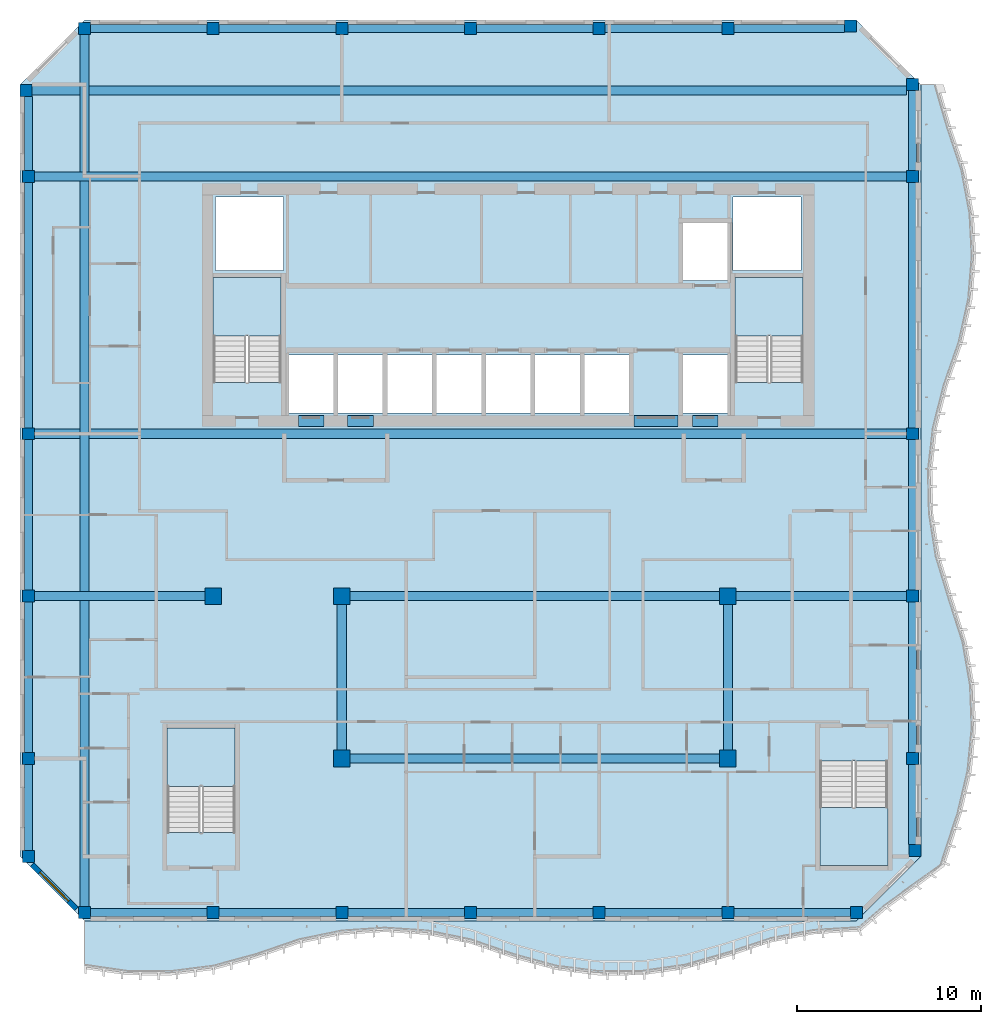
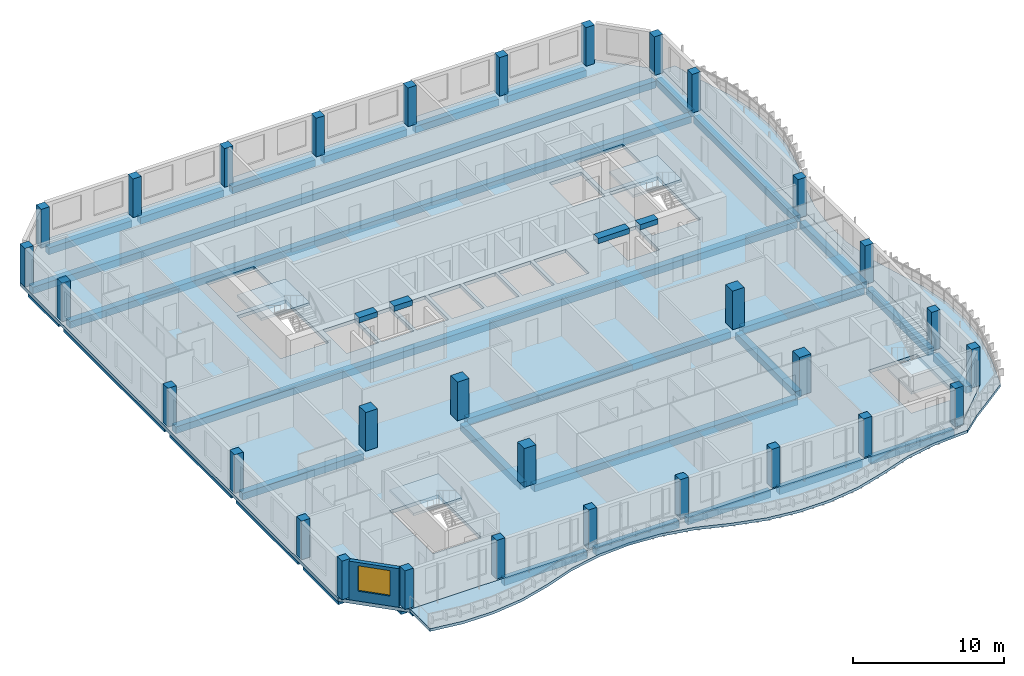
# One storey, part 1 of 17: 36 beams, 31 columns, 6 slabs, 1 wall, 1 window, 1 opening, 4 elements without a shape of their own.
"""IFC4 building model written with IfcOpenShell, lengths in metres."""

from ifc_helpers import new_model, si_unit, direction, frame, frame_2d, origin, origin_2d, place, context, subcontext, project, spatial, polyline, rectangle, outline, extrude, source, transform, mapped, material, layer, layer_set, material_profile, profile_set, type_object, element, fill, aggregate, save


model = new_model("IFC4")

# Units and contexts
model_context = context("Model", 3, precision=1e-05, world=origin(), true_north=direction((0.0, 1.0)))
body_context = subcontext(model_context, "Body", "Model", "MODEL_VIEW")
ifc_project = project(units=[si_unit("LENGTHUNIT", "METRE"), si_unit("AREAUNIT", "SQUARE_METRE"), si_unit("VOLUMEUNIT", "CUBIC_METRE"), si_unit("PLANEANGLEUNIT", "RADIAN"), si_unit("MASSUNIT", "GRAM", prefix="KILO")], contexts=[model_context])

# Site, building, storey
site_placement = place(None, origin())
site = spatial("IfcSite", under=ifc_project, at=site_placement, CompositionType="ELEMENT")
building_placement = place(site_placement, origin())
building = spatial("IfcBuilding", under=site, at=building_placement, Name="Kilnfold Tower and Market Hall", CompositionType="ELEMENT")
storey_placement = place(building_placement, frame((0.0, 0.0, 273.800048828125)))
storey = spatial("IfcBuildingStorey", under=building, at=storey_placement, Name="L67", CompositionType="ELEMENT", Elevation=273.800048828125)

# Columns
ifc_material_1 = material(Name="Concrete C60", Category="concrete")
ifc_material_profile_1 = material_profile(ifc_material_1, rectangle(XDim=0.64990234375, YDim=0.64990234375, at=origin_2d()), Name="RC 650x650")
ifc_profile_set_1 = profile_set([ifc_material_profile_1], Name="Concrete C60")
column_type_1 = type_object("IfcColumnType", Name="COLUMN 650X650 C60", PredefinedType="COLUMN", material=ifc_profile_set_1)
shared_shape_1 = source(origin(), body_context, "Body", "SweptSolid", [
    extrude(rectangle(XDim=0.64990234375, YDim=0.64990234375, at=origin_2d()), origin(), (0.0, 0.0, 1.0), 3.119873046875),
])
for number, where, z_axis, x_axis, name in (
    (1, (-25.181884765625, 26.681884765625, 0.0), (0.0, 0.0, 1.0), (1.0, 0.0, 0.0), "Column C-B8-1G"),
    (2, (-25.050048828125, -15.0, 0.0), (0.0, 0.0, 1.0), (1.0, 0.0, 0.0), "Column C-B8-1B"),
    (3, (-25.050048828125, -9.666748046875, 0.0), (0.0, 0.0, 1.0), (1.0, 0.0, 0.0), "Column C-B8-1C"),
    (4, (-25.050048828125, -0.833251953125, 0.0), (0.0, 0.0, 1.0), (1.0, 0.0, 0.0), "Column C-B8-1D"),
    (5, (-25.050048828125, 8.0, 0.0), (0.0, 0.0, 1.0), (1.0, 0.0, 0.0), "Column C-B8-1E"),
    (6, (-25.050048828125, 22.0, 0.0), (0.0, 0.0, 1.0), (1.0, 0.0, 0.0), "Column C-B8-1F"),
    (7, (-22.0, -18.050048828125, 0.0), (0.0, 0.0, 1.0), (1.0, 0.0, 0.0), "Column C-B8-2A"),
    (8, (-22.0, 30.050048828125, 0.0), (0.0, 0.0, 1.0), (1.0, 0.0, 0.0), "Column C-B8-2H"),
    (9, (-15.0, -18.050048828125, 0.0), (0.0, 0.0, 1.0), (1.0, 0.0, 0.0), "Column C-B8-3A"),
    (10, (-15.0, 30.050048828125, 0.0), (0.0, 0.0, 1.0), (1.0, 0.0, 0.0), "Column C-B8-3H"),
    (11, (-8.0, -18.050048828125, 0.0), (0.0, 0.0, 1.0), (1.0, 0.0, 0.0), "Column C-B8-4A"),
    (12, (-8.0, 30.050048828125, 0.0), (0.0, 0.0, 1.0), (1.0, 0.0, 0.0), "Column C-B8-4H"),
    (13, (-1.0, -18.050048828125, 0.0), (0.0, 0.0, 1.0), (1.0, 0.0, 0.0), "Column C-B8-5A"),
    (14, (-1.0, 30.050048828125, 0.0), (0.0, 0.0, 1.0), (1.0, 0.0, 0.0), "Column C-B8-5H"),
    (15, (6.0, -18.050048828125, 0.0), (0.0, 0.0, 1.0), (1.0, 0.0, 0.0), "Column C-B8-6A"),
    (16, (6.0, 30.050048828125, 0.0), (0.0, 0.0, 1.0), (1.0, 0.0, 0.0), "Column C-B8-6H"),
    (17, (13.0, -18.050048828125, 0.0), (0.0, 0.0, 1.0), (1.0, 0.0, 0.0), "Column C-B8-7A"),
    (18, (13.0, 30.050048828125, 0.0), (0.0, 0.0, 1.0), (1.0, 0.0, 0.0), "Column C-B8-7H"),
    (19, (19.681884765625, 30.181884765625, 0.0), (0.0, 0.0, 1.0), (1.0, 0.0, 0.0), "Column C-B8-8H"),
    (20, (20.0, -18.050048828125, 0.0), (0.0, 0.0, 1.0), (1.0, 0.0, 0.0), "Column C-B8-8A"),
    (21, (23.050048828125, -9.666748046875, 0.0), (0.0, 0.0, 1.0), (1.0, 0.0, 0.0), "Column C-B8-9C"),
    (22, (23.050048828125, -0.833251953125, 0.0), (0.0, 0.0, 1.0), (1.0, 0.0, 0.0), "Column C-B8-9D"),
    (23, (23.050048828125, 8.0, 0.0), (0.0, 0.0, 1.0), (1.0, 0.0, 0.0), "Column C-B8-9E"),
    (24, (23.050048828125, 22.0, 0.0), (0.0, 0.0, 1.0), (1.0, 0.0, 0.0), "Column C-B8-9F"),
    (25, (23.050048828125, 27.0, 0.0), (0.0, 0.0, 1.0), (1.0, 0.0, 0.0), "Column C-B8-9G"),
    (26, (23.181884765625, -14.681884765625, 0.0), (0.0, 0.0, 1.0), (1.0, 0.0, 0.0), "Column C-B8-9B"),
):
    element("IfcColumn", number, at=place(storey_placement, frame(where, z_axis=z_axis, x_axis=x_axis)), inside=storey, type_object=column_type_1, Name=name, PredefinedType="COLUMN", context=body_context, shape_type="MappedRepresentation", body=[
        mapped(shared_shape_1, transform((0.0, 0.0, 0.0))),
    ])
ifc_material_2 = material(Name="Concrete C60", Category="concrete")
ifc_material_profile_2 = material_profile(ifc_material_2, rectangle(XDim=0.89990234375, YDim=0.89990234375, at=origin_2d()), Name="RC 900x900")
ifc_profile_set_2 = profile_set([ifc_material_profile_2], Name="Concrete C60")
column_type_2 = type_object("IfcColumnType", Name="COLUMN 900X900 C60", PredefinedType="COLUMN", material=ifc_profile_set_2)
shared_shape_2 = source(origin(), body_context, "Body", "SweptSolid", [
    extrude(rectangle(XDim=0.89990234375, YDim=0.89990234375, at=origin_2d()), origin(), (0.0, 0.0, 1.0), 3.119873046875),
])
for number, where, z_axis, x_axis, name in (
    (27, (-15.0, -0.833251953125, 0.0), (0.0, 0.0, 1.0), (1.0, 0.0, 0.0), "Column C-B8-3D"),
    (28, (-8.0, -9.666748046875, 0.0), (0.0, 0.0, 1.0), (1.0, 0.0, 0.0), "Column C-B8-4C"),
    (29, (-8.0, -0.833251953125, 0.0), (0.0, 0.0, 1.0), (1.0, 0.0, 0.0), "Column C-B8-4D"),
    (30, (13.0, -9.666748046875, 0.0), (0.0, 0.0, 1.0), (1.0, 0.0, 0.0), "Column C-B8-7C"),
    (31, (13.0, -0.833251953125, 0.0), (0.0, 0.0, 1.0), (1.0, 0.0, 0.0), "Column C-B8-7D"),
):
    element("IfcColumn", number, at=place(storey_placement, frame(where, z_axis=z_axis, x_axis=x_axis)), inside=storey, type_object=column_type_2, Name=name, PredefinedType="COLUMN", context=body_context, shape_type="MappedRepresentation", body=[
        mapped(shared_shape_2, transform((0.0, 0.0, 0.0))),
    ])

# Beams
ifc_material_3 = material(Name="Concrete C50", Category="concrete")
ifc_material_profile_3 = material_profile(ifc_material_3, rectangle(XDim=0.60009765625, YDim=0.419921875, at=origin_2d()), Name="RC 600x420")
ifc_profile_set_3 = profile_set([ifc_material_profile_3], Name="Concrete C50")
beam_type_1 = type_object("IfcBeamType", Name="COUPLING BEAM 600X420 C50", PredefinedType="BEAM", material=ifc_profile_set_3)
shared_shape_3 = source(origin(), body_context, "Body", "SweptSolid", [
    extrude(rectangle(XDim=0.60009765625, YDim=0.419921875, at=origin_2d()), origin(), (0.0, 0.0, 1.0), 1.400146484375),
])
beam_1_placement = place(storey_placement, frame((-10.3701171875, 8.699951171875, 2.909912109375), z_axis=(1.0, 0.0, 0.0), x_axis=(0.0, 1.0, 0.0)))
element("IfcBeam", 32, at=beam_1_placement, inside=storey, type_object=beam_type_1, Name="Coupling beam CB420-50-CORE.30", PredefinedType="BEAM", context=body_context, shape_type="MappedRepresentation", body=[
    mapped(shared_shape_3, transform((0.0, 0.0, 0.0))),
])
shared_shape_4 = source(origin(), body_context, "Body", "SweptSolid", [
    extrude(rectangle(XDim=0.60009765625, YDim=0.419921875, at=origin_2d()), origin(), (0.0, 0.0, 1.0), 1.39990234375),
])
for number, where, z_axis, x_axis, name in (
    (33, (-7.68994140625, 8.699951171875, 2.909912109375), (1.0, 0.0, 0.0), (0.0, 1.0, 0.0), "Coupling beam CB420-50-CORE.31"),
    (34, (11.070068359375, 8.699951171875, 2.909912109375), (1.0, 0.0, 0.0), (0.0, 1.0, 0.0), "Coupling beam CB420-50-CORE.33"),
):
    element("IfcBeam", number, at=place(storey_placement, frame(where, z_axis=z_axis, x_axis=x_axis)), inside=storey, type_object=beam_type_1, Name=name, PredefinedType="BEAM", context=body_context, shape_type="MappedRepresentation", body=[
        mapped(shared_shape_4, transform((0.0, 0.0, 0.0))),
    ])
shared_shape_5 = source(origin(), body_context, "Body", "SweptSolid", [
    extrude(rectangle(XDim=0.60009765625, YDim=0.419921875, at=origin_2d()), origin(), (0.0, 0.0, 1.0), 2.400146484375),
])
beam_2_placement = place(storey_placement, frame((7.889892578125, 8.699951171875, 2.909912109375), z_axis=(1.0, 0.0, 0.0), x_axis=(0.0, 1.0, 0.0)))
element("IfcBeam", 35, at=beam_2_placement, inside=storey, type_object=beam_type_1, Name="Coupling beam CB420-50-CORE.32", PredefinedType="BEAM", context=body_context, shape_type="MappedRepresentation", body=[
    mapped(shared_shape_5, transform((0.0, 0.0, 0.0))),
])
ifc_material_4 = material(Name="Concrete C45", Category="concrete")
ifc_material_profile_4 = material_profile(ifc_material_4, rectangle(XDim=0.449951171875, YDim=0.550048828125, at=origin_2d()), Name="RC 450x550")
ifc_profile_set_4 = profile_set([ifc_material_profile_4], Name="Concrete C45")
beam_type_2 = type_object("IfcBeamType", Name="EDGE BEAM 450X550 C45", PredefinedType="BEAM", material=ifc_profile_set_4)
shared_shape_6 = source(origin(), body_context, "Body", "SweptSolid", [
    extrude(rectangle(XDim=0.449951171875, YDim=0.550048828125, at=origin_2d()), origin(), (0.0, 0.0, 1.0), 6.35009765625),
])
for number, where, z_axis, x_axis, name in (
    (36, (-21.675048828125, -18.050048828125, -0.554931640625), (1.0, 0.0, 0.0), (0.0, 1.0, 0.0), "Beam EB550-B8.31"),
    (37, (-14.675048828125, -18.050048828125, -0.554931640625), (1.0, 0.0, 0.0), (0.0, 1.0, 0.0), "Beam EB550-B8.32"),
    (38, (-7.675048828125, -18.050048828125, -0.554931640625), (1.0, 0.0, 0.0), (0.0, 1.0, 0.0), "Beam EB550-B8.33"),
    (39, (-0.675048828125, -18.050048828125, -0.554931640625), (1.0, 0.0, 0.0), (0.0, 1.0, 0.0), "Beam EB550-B8.34"),
    (40, (6.324951171875, -18.050048828125, -0.554931640625), (1.0, 0.0, 0.0), (0.0, 1.0, 0.0), "Beam EB550-B8.35"),
    (41, (13.324951171875, -18.050048828125, -0.554931640625), (1.0, 0.0, 0.0), (0.0, 1.0, 0.0), "Beam EB550-B8.36"),
    (42, (-21.675048828125, 30.050048828125, -0.554931640625), (1.0, 0.0, 0.0), (0.0, 1.0, 0.0), "Beam EB550-B8.44"),
    (43, (-14.675048828125, 30.050048828125, -0.554931640625), (1.0, 0.0, 0.0), (0.0, 1.0, 0.0), "Beam EB550-B8.45"),
    (44, (-7.675048828125, 30.050048828125, -0.554931640625), (1.0, 0.0, 0.0), (0.0, 1.0, 0.0), "Beam EB550-B8.46"),
    (45, (-0.675048828125, 30.050048828125, -0.554931640625), (1.0, 0.0, 0.0), (0.0, 1.0, 0.0), "Beam EB550-B8.47"),
    (46, (6.324951171875, 30.050048828125, -0.554931640625), (1.0, 0.0, 0.0), (0.0, 1.0, 0.0), "Beam EB550-B8.48"),
):
    element("IfcBeam", number, at=place(storey_placement, frame(where, z_axis=z_axis, x_axis=x_axis)), inside=storey, type_object=beam_type_2, Name=name, PredefinedType="BEAM", context=body_context, shape_type="MappedRepresentation", body=[
        mapped(shared_shape_6, transform((0.0, 0.0, 0.0))),
    ])
ifc_material_5 = material(Name="Concrete C45", Category="concrete")
ifc_material_profile_5 = material_profile(ifc_material_5, rectangle(XDim=0.5, YDim=0.550048828125, at=origin_2d()), Name="RC 500x550")
ifc_profile_set_5 = profile_set([ifc_material_profile_5], Name="Concrete C45")
beam_type_3 = type_object("IfcBeamType", Name="BEAM 500X550 C45", PredefinedType="BEAM", material=ifc_profile_set_5)
shared_shape_7 = source(origin(), body_context, "Body", "SweptSolid", [
    extrude(rectangle(XDim=0.5, YDim=0.550048828125, at=origin_2d()), origin(), (0.0, 0.0, 1.0), 20.10009765625),
])
for number, where, z_axis, x_axis, name in (
    (47, (-7.550048828125, -9.669921875, -0.554931640625), (1.0, 0.0, 0.0), (0.0, 1.0, 0.0), "Beam BB550-B8.37"),
    (48, (-7.550048828125, -0.830078125, -0.554931640625), (1.0, 0.0, 0.0), (0.0, 1.0, 0.0), "Beam BB550-B8.39"),
):
    element("IfcBeam", number, at=place(storey_placement, frame(where, z_axis=z_axis, x_axis=x_axis)), inside=storey, type_object=beam_type_3, Name=name, PredefinedType="BEAM", context=body_context, shape_type="MappedRepresentation", body=[
        mapped(shared_shape_7, transform((0.0, 0.0, 0.0))),
    ])
shared_shape_8 = source(origin(), body_context, "Body", "SweptSolid", [
    extrude(rectangle(XDim=0.5, YDim=0.550048828125, at=origin_2d()), origin(), (0.0, 0.0, 1.0), 9.275146484375),
])
for number, where, z_axis, x_axis, name in (
    (49, (-24.72509765625, -0.830078125, -0.554931640625), (1.0, 0.0, 0.0), (0.0, 1.0, 0.0), "Beam BB550-B8.38"),
    (50, (13.449951171875, -0.830078125, -0.554931640625), (1.0, 0.0, 0.0), (0.0, 1.0, 0.0), "Beam BB550-B8.40"),
):
    element("IfcBeam", number, at=place(storey_placement, frame(where, z_axis=z_axis, x_axis=x_axis)), inside=storey, type_object=beam_type_3, Name=name, PredefinedType="BEAM", context=body_context, shape_type="MappedRepresentation", body=[
        mapped(shared_shape_8, transform((0.0, 0.0, 0.0))),
    ])
shared_shape_9 = source(origin(), body_context, "Body", "SweptSolid", [
    extrude(rectangle(XDim=0.5, YDim=0.550048828125, at=origin_2d()), origin(), (0.0, 0.0, 1.0), 47.4501953125),
])
for number, where, z_axis, x_axis, name in (
    (51, (-24.72509765625, 8.0, -0.554931640625), (1.0, 0.0, 0.0), (0.0, 1.0, 0.0), "Beam BB550-B8.41"),
    (52, (-24.72509765625, 22.0, -0.554931640625), (1.0, 0.0, 0.0), (0.0, 1.0, 0.0), "Beam BB550-B8.42"),
    (53, (-22.0, -17.72509765625, -0.554931640625), (0.0, 1.0, 0.0), (-1.0, 0.0, 0.0), "Beam BB550-B8.55"),
):
    element("IfcBeam", number, at=place(storey_placement, frame(where, z_axis=z_axis, x_axis=x_axis)), inside=storey, type_object=beam_type_3, Name=name, PredefinedType="BEAM", context=body_context, shape_type="MappedRepresentation", body=[
        mapped(shared_shape_9, transform((0.0, 0.0, 0.0))),
    ])
shared_shape_10 = source(origin(), body_context, "Body", "SweptSolid", [
    extrude(rectangle(XDim=0.5, YDim=0.550048828125, at=origin_2d()), origin(), (0.0, 0.0, 1.0), 47.581787109375),
])
beam_3_placement = place(storey_placement, frame((-24.856689453125, 26.679931640625, -0.554931640625), z_axis=(1.0, 0.0, 0.0), x_axis=(0.0, 1.0, 0.0)))
element("IfcBeam", 54, at=beam_3_placement, inside=storey, type_object=beam_type_3, Name="Beam BB550-B8.43", PredefinedType="BEAM", context=body_context, shape_type="MappedRepresentation", body=[
    mapped(shared_shape_10, transform((0.0, 0.0, 0.0))),
])
shared_shape_11 = source(origin(), body_context, "Body", "SweptSolid", [
    extrude(rectangle(XDim=0.449951171875, YDim=0.550048828125, at=origin_2d()), origin(), (0.0, 0.0, 1.0), 6.03173828125),
])
beam_4_placement = place(storey_placement, frame((13.324951171875, 30.050048828125, -0.554931640625), z_axis=(1.0, 0.0, 0.0), x_axis=(0.0, 1.0, 0.0)))
element("IfcBeam", 55, at=beam_4_placement, inside=storey, type_object=beam_type_2, Name="Beam EB550-B8.49", PredefinedType="BEAM", context=body_context, shape_type="MappedRepresentation", body=[
    mapped(shared_shape_11, transform((0.0, 0.0, 0.0))),
])
shared_shape_12 = source(origin(), body_context, "Body", "SweptSolid", [
    extrude(rectangle(XDim=0.449951171875, YDim=0.550048828125, at=origin_2d()), origin(), (0.0, 0.0, 1.0), 4.683349609375),
])
beam_5_placement = place(storey_placement, frame((-25.050048828125, -14.675048828125, -0.554931640625), z_axis=(0.0, 1.0, 0.0), x_axis=(-1.0, 0.0, 0.0)))
element("IfcBeam", 56, at=beam_5_placement, inside=storey, type_object=beam_type_2, Name="Beam EB550-B8.50", PredefinedType="BEAM", context=body_context, shape_type="MappedRepresentation", body=[
    mapped(shared_shape_12, transform((0.0, 0.0, 0.0))),
])
shared_shape_13 = source(origin(), body_context, "Body", "SweptSolid", [
    extrude(rectangle(XDim=0.449951171875, YDim=0.550048828125, at=origin_2d()), origin(), (0.0, 0.0, 1.0), 8.18359375),
])
for number, where, z_axis, x_axis, name in (
    (57, (-25.050048828125, -9.341796875, -0.554931640625), (0.0, 1.0, 0.0), (-1.0, 0.0, 0.0), "Beam EB550-B8.51"),
    (58, (23.050048828125, -9.341796875, -0.554931640625), (0.0, 1.0, 0.0), (-1.0, 0.0, 0.0), "Beam EB550-B8.57"),
):
    element("IfcBeam", number, at=place(storey_placement, frame(where, z_axis=z_axis, x_axis=x_axis)), inside=storey, type_object=beam_type_2, Name=name, PredefinedType="BEAM", context=body_context, shape_type="MappedRepresentation", body=[
        mapped(shared_shape_13, transform((0.0, 0.0, 0.0))),
    ])
shared_shape_14 = source(origin(), body_context, "Body", "SweptSolid", [
    extrude(rectangle(XDim=0.449951171875, YDim=0.550048828125, at=origin_2d()), origin(), (0.0, 0.0, 1.0), 8.183349609375),
])
for number, where, z_axis, x_axis, name in (
    (59, (-25.050048828125, -0.50830078125, -0.554931640625), (0.0, 1.0, 0.0), (-1.0, 0.0, 0.0), "Beam EB550-B8.52"),
    (60, (23.050048828125, -0.50830078125, -0.554931640625), (0.0, 1.0, 0.0), (-1.0, 0.0, 0.0), "Beam EB550-B8.58"),
):
    element("IfcBeam", number, at=place(storey_placement, frame(where, z_axis=z_axis, x_axis=x_axis)), inside=storey, type_object=beam_type_2, Name=name, PredefinedType="BEAM", context=body_context, shape_type="MappedRepresentation", body=[
        mapped(shared_shape_14, transform((0.0, 0.0, 0.0))),
    ])
shared_shape_15 = source(origin(), body_context, "Body", "SweptSolid", [
    extrude(rectangle(XDim=0.449951171875, YDim=0.550048828125, at=origin_2d()), origin(), (0.0, 0.0, 1.0), 13.35009765625),
])
for number, where, z_axis, x_axis, name in (
    (61, (-25.050048828125, 8.324951171875, -0.554931640625), (0.0, 1.0, 0.0), (-1.0, 0.0, 0.0), "Beam EB550-B8.53"),
    (62, (23.050048828125, 8.324951171875, -0.554931640625), (0.0, 1.0, 0.0), (-1.0, 0.0, 0.0), "Beam EB550-B8.59"),
):
    element("IfcBeam", number, at=place(storey_placement, frame(where, z_axis=z_axis, x_axis=x_axis)), inside=storey, type_object=beam_type_2, Name=name, PredefinedType="BEAM", context=body_context, shape_type="MappedRepresentation", body=[
        mapped(shared_shape_15, transform((0.0, 0.0, 0.0))),
    ])
shared_shape_16 = source(origin(), body_context, "Body", "SweptSolid", [
    extrude(rectangle(XDim=0.449951171875, YDim=0.550048828125, at=origin_2d()), origin(), (0.0, 0.0, 1.0), 4.03173828125),
])
beam_6_placement = place(storey_placement, frame((-25.050048828125, 22.324951171875, -0.554931640625), z_axis=(0.0, 1.0, 0.0), x_axis=(-1.0, 0.0, 0.0)))
element("IfcBeam", 63, at=beam_6_placement, inside=storey, type_object=beam_type_2, Name="Beam EB550-B8.54", PredefinedType="BEAM", context=body_context, shape_type="MappedRepresentation", body=[
    mapped(shared_shape_16, transform((0.0, 0.0, 0.0))),
])
shared_shape_17 = source(origin(), body_context, "Body", "SweptSolid", [
    extrude(rectangle(XDim=0.5, YDim=0.550048828125, at=origin_2d()), origin(), (0.0, 0.0, 1.0), 7.93359375),
])
for number, where, z_axis, x_axis, name in (
    (64, (-8.0, -9.216796875, -0.554931640625), (0.0, 1.0, 0.0), (-1.0, 0.0, 0.0), "Beam BB550-B8.24"),
    (65, (13.0, -9.216796875, -0.554931640625), (0.0, 1.0, 0.0), (-1.0, 0.0, 0.0), "Beam BB550-B8.25"),
):
    element("IfcBeam", number, at=place(storey_placement, frame(where, z_axis=z_axis, x_axis=x_axis)), inside=storey, type_object=beam_type_3, Name=name, PredefinedType="BEAM", context=body_context, shape_type="MappedRepresentation", body=[
        mapped(shared_shape_17, transform((0.0, 0.0, 0.0))),
    ])
shared_shape_18 = source(origin(), body_context, "Body", "SweptSolid", [
    extrude(rectangle(XDim=0.449951171875, YDim=0.550048828125, at=origin_2d()), origin(), (0.0, 0.0, 1.0), 4.364990234375),
])
beam_7_placement = place(storey_placement, frame((23.050048828125, -14.356689453125, -0.554931640625), z_axis=(0.0, 1.0, 0.0), x_axis=(-1.0, 0.0, 0.0)))
element("IfcBeam", 66, at=beam_7_placement, inside=storey, type_object=beam_type_2, Name="Beam EB550-B8.56", PredefinedType="BEAM", context=body_context, shape_type="MappedRepresentation", body=[
    mapped(shared_shape_18, transform((0.0, 0.0, 0.0))),
])
shared_shape_19 = source(origin(), body_context, "Body", "SweptSolid", [
    extrude(rectangle(XDim=0.449951171875, YDim=0.550048828125, at=origin_2d()), origin(), (0.0, 0.0, 1.0), 4.35009765625),
])
beam_8_placement = place(storey_placement, frame((23.050048828125, 22.324951171875, -0.554931640625), z_axis=(0.0, 1.0, 0.0), x_axis=(-1.0, 0.0, 0.0)))
element("IfcBeam", 67, at=beam_8_placement, inside=storey, type_object=beam_type_2, Name="Beam EB550-B8.60", PredefinedType="BEAM", context=body_context, shape_type="MappedRepresentation", body=[
    mapped(shared_shape_19, transform((0.0, 0.0, 0.0))),
])

# Slabs
ifc_material_6 = material(Name="Concrete C45", Category="concrete")
ifc_layer_1 = layer(ifc_material_6, 0.280029296875)
ifc_layer_set_1 = layer_set([ifc_layer_1], Name="Concrete C45")
slab_type_1 = type_object("IfcSlabType", Name="FLOOR SLAB 280", PredefinedType="FLOOR", material=ifc_layer_set_1)
shared_shape_20 = source(origin(), body_context, "Body", "SweptSolid", [
    extrude(outline(polyline([(-22.0, -18.5), (20.0, -18.5), (23.5, -15.0), (23.5, 27.0), (20.0, 30.5), (-22.0, 30.5), (-25.5, 27.0), (-25.5, -15.0), (-22.0, -18.5)]), holes=[polyline([(-13.800537109375, -8.00048828125), (-13.800537109375, -13.699462890625), (-17.49951171875, -13.699462890625), (-17.49951171875, -8.00048828125), (-13.800537109375, -8.00048828125)]), polyline([(-11.300537109375, 10.800537109375), (-14.99951171875, 10.800537109375), (-14.99951171875, 16.49951171875), (-11.300537109375, 16.49951171875), (-11.300537109375, 10.800537109375)]), polyline([(-11.175048828125, 16.875), (-14.875, 16.875), (-14.875, 20.875), (-11.175048828125, 20.875), (-11.175048828125, 16.875)]), polyline([(-8.455078125, 9.125), (-10.885009765625, 9.125), (-10.885009765625, 12.27490234375), (-8.455078125, 12.27490234375), (-8.455078125, 9.125)]), polyline([(-5.77490234375, 9.125), (-8.205078125, 9.125), (-8.205078125, 12.27490234375), (-5.77490234375, 12.27490234375), (-5.77490234375, 9.125)]), polyline([(-3.094970703125, 9.125), (-5.52490234375, 9.125), (-5.52490234375, 12.27490234375), (-3.094970703125, 12.27490234375), (-3.094970703125, 9.125)]), polyline([(-0.4150390625, 9.125), (-2.844970703125, 9.125), (-2.844970703125, 12.27490234375), (-0.4150390625, 12.27490234375), (-0.4150390625, 9.125)]), polyline([(2.264892578125, 9.125), (-0.1650390625, 9.125), (-0.1650390625, 12.27490234375), (2.264892578125, 12.27490234375), (2.264892578125, 9.125)]), polyline([(4.945068359375, 9.125), (2.514892578125, 9.125), (2.514892578125, 12.27490234375), (4.945068359375, 12.27490234375), (4.945068359375, 9.125)]), polyline([(7.625, 9.125), (5.195068359375, 9.125), (5.195068359375, 12.27490234375), (7.625, 12.27490234375), (7.625, 9.125)]), polyline([(12.985107421875, 9.125), (10.554931640625, 9.125), (10.554931640625, 12.27490234375), (12.985107421875, 12.27490234375), (12.985107421875, 9.125)]), polyline([(12.985107421875, 16.324951171875), (10.554931640625, 16.324951171875), (10.554931640625, 19.47509765625), (12.985107421875, 19.47509765625), (12.985107421875, 16.324951171875)]), polyline([(16.97509765625, 16.875), (13.27490234375, 16.875), (13.27490234375, 20.875), (16.97509765625, 20.875), (16.97509765625, 16.875)]), polyline([(17.099609375, 10.800537109375), (13.400390625, 10.800537109375), (13.400390625, 16.49951171875), (17.099609375, 16.49951171875), (17.099609375, 10.800537109375)]), polyline([(18.00048828125, -9.800537109375), (21.699462890625, -9.800537109375), (21.699462890625, -15.49951171875), (18.00048828125, -15.49951171875), (18.00048828125, -9.800537109375)])]), origin(), (0.0, 0.0, 1.0), 0.280029296875),
])
slab_1_placement = place(storey_placement, frame((0.0, 0.0, -0.280029296875)))
element("IfcSlab", 68, at=slab_1_placement, inside=storey, type_object=slab_type_1, Name="Floor slab L67", PredefinedType="FLOOR", context=body_context, shape_type="MappedRepresentation", body=[
    mapped(shared_shape_20, transform((0.0, 0.0, 0.0))),
])
ifc_material_7 = material(Name="Concrete C40/50", Category="concrete")
ifc_layer_2 = layer(ifc_material_7, 0.219970703125)
ifc_layer_set_2 = layer_set([ifc_layer_2], Name="Concrete C40/50")
slab_type_2 = type_object("IfcSlabType", Name="BALCONY SLAB 220", PredefinedType="FLOOR", material=ifc_layer_set_2)
shared_shape_21 = source(origin(), body_context, "Body", "SweptSolid", [
    extrude(outline(polyline([(-22.0, -18.5), (20.0, -18.5), (23.5, -15.0), (23.5, 27.0), (24.482421875, 27.0), (25.152587890625, 24.666748046875), (25.9326171875, 22.333251953125), (26.375732421875, 20.0), (26.498046875, 17.666748046875), (26.306396484375, 15.333251953125), (25.789794921875, 13.0), (24.974609375, 10.666748046875), (24.381103515625, 8.333251953125), (24.11767578125, 6.0), (24.169189453125, 3.666748046875), (24.538330078125, 1.333251953125), (25.246826171875, -1.0), (25.99658203125, -3.333251953125), (26.404296875, -5.666748046875), (26.49267578125, -8.0), (26.2666015625, -10.333251953125), (25.71337890625, -12.666748046875), (24.78759765625, -15.533203125), (23.015625, -16.84912109375), (21.664306640625, -17.830810546875), (20.230224609375, -19.055908203125), (17.666748046875, -19.225341796875), (15.333251953125, -19.669677734375), (13.0, -20.450439453125), (10.666748046875, -21.119384765625), (8.333251953125, -21.452392578125), (6.0, -21.468505859375), (3.666748046875, -21.169189453125), (1.333251953125, -20.537109375), (-1.0, -19.735595703125), (-3.333251953125, -19.25634765625), (-5.666748046875, -19.10009765625), (-8.0, -19.257568359375), (-10.333251953125, -19.73779296875), (-12.666748046875, -20.5400390625), (-15.0, -21.1708984375), (-17.333251953125, -21.46923828125), (-19.666748046875, -21.45166015625), (-22.0, -21.117431640625), (-22.0, -18.5)])), origin(), (0.0, 0.0, 1.0), 0.219970703125),
])
slab_2_placement = place(storey_placement, frame((0.0, 0.0, -0.219970703125)))
element("IfcSlab", 69, at=slab_2_placement, inside=storey, type_object=slab_type_2, Name="Balcony slab L67", PredefinedType="FLOOR", context=body_context, shape_type="MappedRepresentation", body=[
    mapped(shared_shape_21, transform((0.0, 0.0, 0.0))),
])

# Stair, slab
ifc_material_8 = material(Name="Concrete C40/50", Category="concrete")
stair_type = type_object("IfcStairType", Name="CORE STAIR 1800", PredefinedType="HALF_TURN_STAIR", material=ifc_material_8)
stair_1_placement = place(storey_placement, origin())
stair_1 = element("IfcStair", 70, at=stair_1_placement, inside=storey, type_object=stair_type, Name="L67 ST1", PredefinedType="HALF_TURN_STAIR")
ifc_material_9 = material(Name="Concrete C40/50", Category="concrete")
ifc_layer_3 = layer(ifc_material_9, 0.199951171875)
ifc_layer_set_3 = layer_set([ifc_layer_3], Name="Concrete C40/50")
slab_type_3 = type_object("IfcSlabType", Name="CORE STAIR LANDING 200", PredefinedType="LANDING", material=ifc_layer_set_3)
shared_shape_22 = source(origin(), body_context, "Body", "SweptSolid", [
    extrude(outline(polyline([(-11.300048828125, 13.320068359375), (-11.300048828125, 16.5), (-15.0, 16.5), (-15.0, 13.320068359375), (-11.300048828125, 13.320068359375)])), origin(), (0.0, 0.0, 1.0), 0.199951171875),
])
slab_3_placement = place(storey_placement, frame((0.0, 0.0, 1.5)))
slab_3 = element("IfcSlab", 71, at=slab_3_placement, type_object=slab_type_3, Name="ST1 landing 1", PredefinedType="LANDING", context=body_context, shape_type="MappedRepresentation", body=[
    mapped(shared_shape_22, transform((0.0, 0.0, 0.0))),
])
aggregate(stair_1, [slab_3])

stair_2_placement = place(storey_placement, origin())
stair_2 = element("IfcStair", 72, at=stair_2_placement, inside=storey, type_object=stair_type, Name="L67 ST2", PredefinedType="HALF_TURN_STAIR")
shared_shape_23 = source(origin(), body_context, "Body", "SweptSolid", [
    extrude(outline(polyline([(17.10009765625, 13.320068359375), (17.10009765625, 16.5), (13.39990234375, 16.5), (13.39990234375, 13.320068359375), (17.10009765625, 13.320068359375)])), origin(), (0.0, 0.0, 1.0), 0.199951171875),
])
slab_4_placement = place(storey_placement, frame((0.0, 0.0, 1.5)))
slab_4 = element("IfcSlab", 73, at=slab_4_placement, type_object=slab_type_3, Name="ST2 landing 1", PredefinedType="LANDING", context=body_context, shape_type="MappedRepresentation", body=[
    mapped(shared_shape_23, transform((0.0, 0.0, 0.0))),
])
aggregate(stair_2, [slab_4])

stair_3_placement = place(storey_placement, origin())
stair_3 = element("IfcStair", 74, at=stair_3_placement, inside=storey, type_object=stair_type, Name="L67 ST3", PredefinedType="HALF_TURN_STAIR")
shared_shape_24 = source(origin(), body_context, "Body", "SweptSolid", [
    extrude(outline(polyline([(-13.800048828125, -11.179931640625), (-13.800048828125, -8.0), (-17.5, -8.0), (-17.5, -11.179931640625), (-13.800048828125, -11.179931640625)])), origin(), (0.0, 0.0, 1.0), 0.199951171875),
])
slab_5_placement = place(storey_placement, frame((0.0, 0.0, 1.5)))
slab_5 = element("IfcSlab", 75, at=slab_5_placement, type_object=slab_type_3, Name="ST3 landing 1", PredefinedType="LANDING", context=body_context, shape_type="MappedRepresentation", body=[
    mapped(shared_shape_24, transform((0.0, 0.0, 0.0))),
])
aggregate(stair_3, [slab_5])

stair_4_placement = place(storey_placement, origin())
stair_4 = element("IfcStair", 76, at=stair_4_placement, inside=storey, type_object=stair_type, Name="L67 ST4", PredefinedType="HALF_TURN_STAIR")
shared_shape_25 = source(origin(), body_context, "Body", "SweptSolid", [
    extrude(outline(polyline([(18.0, -12.320068359375), (18.0, -15.5), (21.699951171875, -15.5), (21.699951171875, -12.320068359375), (18.0, -12.320068359375)])), origin(), (0.0, 0.0, 1.0), 0.199951171875),
])
slab_6_placement = place(storey_placement, frame((0.0, 0.0, 1.5)))
slab_6 = element("IfcSlab", 77, at=slab_6_placement, type_object=slab_type_3, Name="ST4 landing 1", PredefinedType="LANDING", context=body_context, shape_type="MappedRepresentation", body=[
    mapped(shared_shape_25, transform((0.0, 0.0, 0.0))),
])
aggregate(stair_4, [slab_6])

# Wall, opening, window
ifc_material_10 = material(Name="Precast concrete C50/60", Category="concrete")
ifc_layer_4 = layer(ifc_material_10, 0.300048828125)
ifc_layer_set_4 = layer_set([ifc_layer_4], Name="Precast concrete C50/60")
wall_type = type_object("IfcWallType", Name="PRECAST WALL 300", PredefinedType="SOLIDWALL", material=ifc_layer_set_4)
shared_shape_26 = source(origin(), body_context, "Body", "SweptSolid", [
    extrude(rectangle(XDim=3.39404296875, YDim=0.300048828125, at=frame_2d((1.697021484375, 0.0))), origin(), (0.0, 0.0, 1.0), 3.119873046875),
])
wall_placement = place(storey_placement, frame((-24.843994140625, -15.44384765625, 0.0), z_axis=(0.0, 0.0, 1.0), x_axis=(0.707070815327, -0.707142745217, 0.0)))
wall = element("IfcWall", 78, at=wall_placement, inside=storey, type_object=wall_type, Name="External wall L67 SW", PredefinedType="SOLIDWALL", context=body_context, shape_type="MappedRepresentation", body=[
    mapped(shared_shape_26, transform((0.0, 0.0, 0.0))),
])
opening_placement = place(wall_placement, frame((0.596923828125, 0.0, 0.800048828125)))
opening = element("IfcOpeningElement", 79, at=opening_placement, cuts=wall, Name="Opening W3", PredefinedType="OPENING", context=body_context, shape_type="SweptSolid", body=[
    extrude(rectangle(XDim=2.199951171875, YDim=2.050048828125, at=frame_2d((1.10009765625, 1.02490234375))), frame((0.0, 0.16015625, 0.0), z_axis=(0.0, -1.0, 0.0), x_axis=(1.0, 0.0, 0.0)), (0.0, 0.0, 1.0), 0.320068359375),
])
ifc_material_11 = material(Name="Aluminium frame and double glazing", Category="aluminium")
window_type = type_object("IfcWindowType", Name="WINDOW W3 2200X2050", PartitioningType="SINGLE_PANEL", PredefinedType="WINDOW", material=ifc_material_11)
window_placement = place(opening_placement, origin())
window = element("IfcWindow", 80, at=window_placement, inside=storey, type_object=window_type, Name="Window W3 L67 SW-1", OverallHeight=2.050048828125, OverallWidth=2.199951171875, PartitioningType="SINGLE_PANEL", PredefinedType="WINDOW", context=body_context, shape_type="SweptSolid", body=[
    extrude(rectangle(XDim=2.199951171875, YDim=2.050048828125, at=frame_2d((1.10009765625, 1.02490234375))), frame((0.0, 0.030029296875, 0.0), z_axis=(0.0, -1.0, 0.0), x_axis=(1.0, 0.0, 0.0)), (0.0, 0.0, 1.0), 0.06005859375),
])
fill(opening, window)

save(model, "model.ifc")
